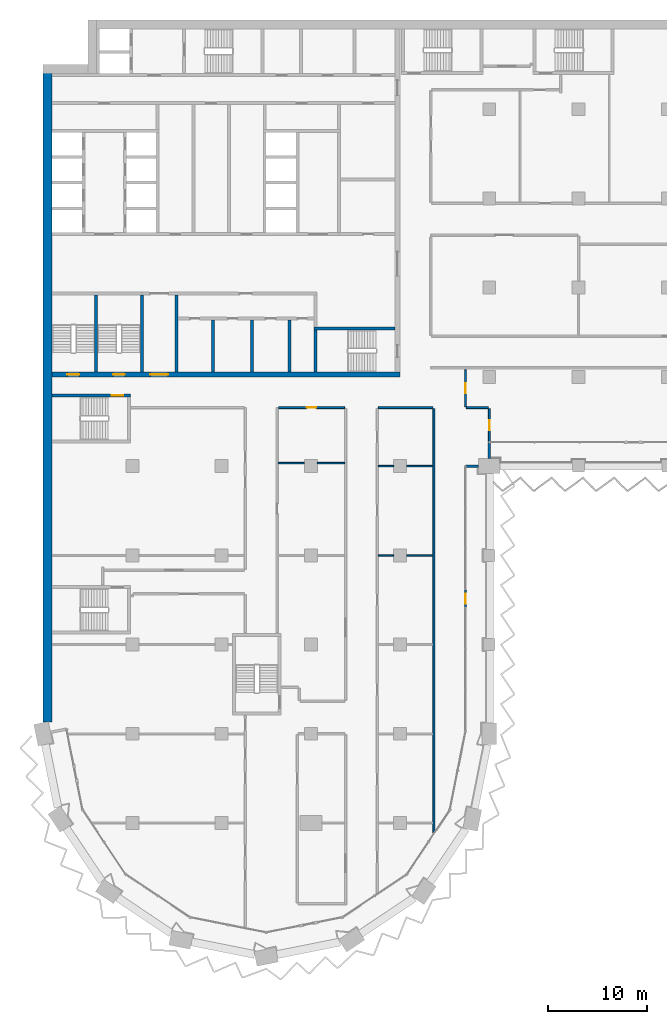
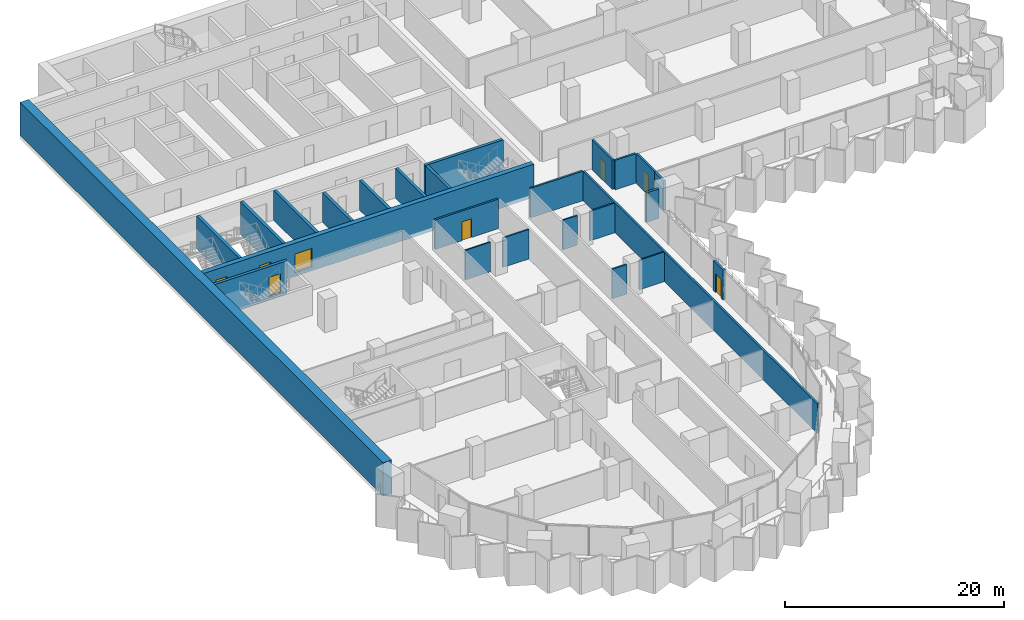
# One storey, part 11 of 23: 26 walls, 8 doors, 8 openings.
"""IFC4 building model written with IfcOpenShell, lengths in metres."""

import ifcopenshell
import ifcopenshell.guid

model = None  # the IFC model being written
_history = None  # IfcOwnerHistory: only IFC2X3 demands one
_inside = {}  # id of a spatial element -> (the spatial element, [elements in it])
_under = {}  # id of a project, library or spatial element -> (it, [spatial elements below it])
_declared = {}  # id of a project -> (the project, [libraries it declares])
_typed = {}  # id of a type object -> (the type object, [elements of that type])
_made_of = {}  # id of a material, layer set ... -> (it, [elements and type objects made of it])


def new_model(schema):
    """Start an empty IFC model of exactly this schema.

    Asked for "IFC4X3", IfcOpenShell would pick the latest addendum, in which some entities
    have other attributes; the version numbers below select the first issue.
    IFC2X3 requires an IfcOwnerHistory on every rooted entity: one is made here for all.
    """
    global model, _history
    if schema == "IFC4X3":
        model = ifcopenshell.file(schema_version=(4, 3, 0, 0))
    else:
        model = ifcopenshell.file(schema=schema)
    _inside.clear()
    _under.clear()
    _declared.clear()
    _typed.clear()
    _made_of.clear()
    _history = None
    if model.schema == "IFC2X3":
        org = make("IfcOrganization", Name="unknown")
        user = make(
            "IfcPersonAndOrganization",
            ThePerson=make("IfcPerson", FamilyName="unknown"),
            TheOrganization=org,
        )
        app = make(
            "IfcApplication",
            ApplicationDeveloper=org,
            Version="unknown",
            ApplicationFullName="unknown",
            ApplicationIdentifier="unknown",
        )
        _history = make(
            "IfcOwnerHistory",
            OwningUser=user,
            OwningApplication=app,
            ChangeAction="ADDED",
            CreationDate=0,
        )
    return model


def make(cls, **values):
    """One entity of the class cls with the attributes given. An attribute that is None is left unset."""
    return model.create_entity(
        cls, **{name: value for name, value in values.items() if value is not None}
    )


def rooted(cls, **values):
    """An entity with a GlobalId (a new one), such as an element, a storey or a relation."""
    return make(cls, GlobalId=ifcopenshell.guid.new(), OwnerHistory=_history, **values)


def si_unit(unit_type, name, prefix=None):
    """IfcSIUnit, for example si_unit("LENGTHUNIT", "METRE", prefix="MILLI")."""
    return make("IfcSIUnit", UnitType=unit_type, Prefix=prefix, Name=name)


def assignment(units):
    """IfcUnitAssignment: the units of a project."""
    return None if units is None else make("IfcUnitAssignment", Units=units)


def point(xyz):
    """IfcCartesianPoint."""
    return None if xyz is None else make("IfcCartesianPoint", Coordinates=xyz)


def direction(xyz):
    """IfcDirection."""
    return None if xyz is None else make("IfcDirection", DirectionRatios=xyz)


def frame(location, z_axis=None, x_axis=None):
    """IfcAxis2Placement3D, a coordinate frame: its origin and axes. An axis left out is left unset."""
    return make(
        "IfcAxis2Placement3D",
        Location=point(location),
        Axis=direction(z_axis),
        RefDirection=direction(x_axis),
    )


def frame_2d(location, x_axis=None):
    """IfcAxis2Placement2D, a coordinate frame in the plane: its origin and x axis."""
    return make(
        "IfcAxis2Placement2D", Location=point(location), RefDirection=direction(x_axis)
    )


def origin():
    """The frame at (0, 0, 0) with its axes left unset."""
    return frame((0.0, 0.0, 0.0))


def place(relative_to, where):
    """IfcLocalPlacement: puts the frame where relative to a parent placement (None: the world)."""
    return make(
        "IfcLocalPlacement", PlacementRelTo=relative_to, RelativePlacement=where
    )


def context(
    kind, dimensions, precision=None, world=None, true_north=None, identifier=None
):
    """IfcGeometricRepresentationContext, for example the 3D "Model" context."""
    return make(
        "IfcGeometricRepresentationContext",
        ContextIdentifier=identifier,
        ContextType=kind,
        CoordinateSpaceDimension=dimensions,
        Precision=precision,
        WorldCoordinateSystem=world,
        TrueNorth=true_north,
    )


def subcontext(parent, identifier, kind, view, scale=None):
    """IfcGeometricRepresentationSubContext, for example "Body" below "Model"."""
    return make(
        "IfcGeometricRepresentationSubContext",
        ContextIdentifier=identifier,
        ContextType=kind,
        ParentContext=parent,
        TargetScale=scale,
        TargetView=view,
    )


def project(units=None, contexts=None):
    """IfcProject with its units and contexts."""
    return rooted(
        "IfcProject",
        Name="project",
        RepresentationContexts=contexts,
        UnitsInContext=assignment(units),
    )


def spatial(cls, under=None, at=None, **own):
    """A site, building, storey or space (cls), placed at a placement, below another one or the project."""
    s = rooted(cls, ObjectPlacement=at, **own)
    if under is not None:
        _under.setdefault(under.id(), (under, []))[1].append(s)
    return s


def profile(cls, at=None, kind="AREA", **sizes):
    """A parametric profile (cls). Its sizes go by their IFC names, for example OverallWidth=200.0."""
    return make(cls, ProfileType=kind, Position=at, **sizes)


def rectangle(**sizes):
    """IfcRectangleProfileDef."""
    return profile("IfcRectangleProfileDef", **sizes)


def extrude(swept, where, along, depth):
    """IfcExtrudedAreaSolid: the profile swept, set in the frame where, extruded along a direction by depth."""
    return make(
        "IfcExtrudedAreaSolid",
        SweptArea=swept,
        Position=where,
        ExtrudedDirection=direction(along),
        Depth=depth,
    )


def shape(context_of_items, identifier, shape_type, items):
    """IfcShapeRepresentation: the items that make up one representation, for example the "Body"."""
    return make(
        "IfcShapeRepresentation",
        ContextOfItems=context_of_items,
        RepresentationIdentifier=identifier,
        RepresentationType=shape_type,
        Items=items,
    )


def material(Name=None, Category=None):
    """IfcMaterial."""
    return make("IfcMaterial", Name=Name, Category=Category)


def layer(
    of_material, thickness, ventilated=None, Name=None, Category=None, Priority=None
):
    """IfcMaterialLayer: one layer of a wall or slab, of a material (None: an air gap)."""
    return make(
        "IfcMaterialLayer",
        Material=of_material,
        LayerThickness=thickness,
        IsVentilated=ventilated,
        Name=Name,
        Category=Category,
        Priority=Priority,
    )


def layer_set(layers, Name=None):
    """IfcMaterialLayerSet."""
    return make("IfcMaterialLayerSet", MaterialLayers=layers, LayerSetName=Name)


def made_of(thing, what):
    """Note that an element or type object is made of a material, layer set ...; save() writes the relation."""
    if what is not None:
        _made_of.setdefault(what.id(), (what, []))[1].append(thing)
    return thing


def type_object(cls, material=None, **own):
    """A type object (cls), such as IfcWallType, which elements share."""
    return made_of(rooted(cls, **own), material)


def element(
    cls,
    number,
    at=None,
    inside=None,
    cuts=None,
    type_object=None,
    material=None,
    context=None,
    identifier="Body",
    shape_type=None,
    held_by="IfcProductDefinitionShape",
    body=None,
    shapes=None,
    **own,
):
    """One element of the class cls, such as IfcWall. Its Tag is "e" and its number.

    at: its placement. inside: the storey or other place that contains it. cuts: it is an
    opening in that element (IfcRelVoidsElement). A single representation is given by context,
    identifier, shape_type and body (its items); several are given by shapes. held_by: the class
    of the entity that holds the representations. save() writes the other relations.
    """
    e = rooted(cls, Tag="e%d" % number, ObjectPlacement=at, **own)
    if body is not None:
        shapes = [shape(context, identifier, shape_type, body)]
    if shapes is not None:
        e.Representation = make(held_by, Representations=shapes)
    if inside is not None:
        _inside.setdefault(inside.id(), (inside, []))[1].append(e)
    if cuts is not None:
        rooted(
            "IfcRelVoidsElement", RelatingBuildingElement=cuts, RelatedOpeningElement=e
        )
    if type_object is not None:
        _typed.setdefault(type_object.id(), (type_object, []))[1].append(e)
    return made_of(e, material)


def fill(opening, filler):
    """IfcRelFillsElement: the door or window that sits in an opening."""
    return rooted(
        "IfcRelFillsElement",
        RelatingOpeningElement=opening,
        RelatedBuildingElement=filler,
    )


def aggregate(whole, parts):
    """IfcRelAggregates: a whole, such as a stair, and the parts it consists of."""
    return rooted("IfcRelAggregates", RelatingObject=whole, RelatedObjects=parts)


def save(model, path):
    """Write the relations noted so far, then the file.

    IfcRelAggregates (storeys below a building ...), IfcRelContainedInSpatialStructure (elements
    in a storey), IfcRelDefinesByType, IfcRelAssociatesMaterial and IfcRelDeclares: one each for
    every whole, place, type object, material and project.
    """
    for whole, parts in _under.values():
        aggregate(whole, parts)
    for where, things in _inside.values():
        rooted(
            "IfcRelContainedInSpatialStructure",
            RelatedElements=things,
            RelatingStructure=where,
        )
    for kind, things in _typed.values():
        rooted("IfcRelDefinesByType", RelatedObjects=things, RelatingType=kind)
    for what, things in _made_of.values():
        rooted("IfcRelAssociatesMaterial", RelatedObjects=things, RelatingMaterial=what)
    for by, libraries in _declared.values():
        rooted("IfcRelDeclares", RelatingContext=by, RelatedDefinitions=libraries)
    model.write(path)


model = new_model("IFC4")

# Units and contexts
model_context = context("Model", 3, precision=1e-05, world=origin(), true_north=direction((0.0, 1.0)))
body_context = subcontext(model_context, "Body", "Model", "MODEL_VIEW")
ifc_project = project(units=[si_unit("LENGTHUNIT", "METRE"), si_unit("AREAUNIT", "SQUARE_METRE"), si_unit("VOLUMEUNIT", "CUBIC_METRE"), si_unit("PLANEANGLEUNIT", "RADIAN"), si_unit("MASSUNIT", "GRAM", prefix="KILO")], contexts=[model_context])

# Site, building, storey
site_placement = place(None, origin())
site = spatial("IfcSite", under=ifc_project, at=site_placement, CompositionType="ELEMENT")
building_placement = place(site_placement, origin())
building = spatial("IfcBuilding", under=site, at=building_placement, Name="Hunhe Ridgeline Campus", CompositionType="ELEMENT")
storey_placement = place(building_placement, frame((0.0, 0.0, 121.800048828125)))
storey = spatial("IfcBuildingStorey", under=building, at=storey_placement, Name="L30", CompositionType="ELEMENT", Elevation=121.800048828125)

# Walls
ifc_material_1 = material(Name="Masonry concrete blockwork", Category="masonry")
ifc_layer_1 = layer(ifc_material_1, 0.300048828125)
ifc_layer_set_1 = layer_set([ifc_layer_1], Name="Core room partition 300 concrete block")
wall_type_1 = type_object("IfcWallType", Name="Core room partition 300 concrete block", PredefinedType="PARTITIONING", material=ifc_layer_set_1)
wall_1_placement = place(storey_placement, frame((13.449951171875, 63.5, 0.0), z_axis=(0.0, 0.0, 1.0), x_axis=(0.0, 1.0, 0.0)))
element("IfcWall", 1, at=wall_1_placement, inside=storey, type_object=wall_type_1, Name="L30 core partition 42", PredefinedType="PARTITIONING", context=body_context, shape_type="SweptSolid", body=[
    extrude(rectangle(XDim=7.75, YDim=0.300048828125, at=frame_2d((3.875, 0.0))), origin(), (0.0, 0.0, 1.0), 3.300048828125),
])
for number, where, z_axis, x_axis, name in (
    (2, (17.14990234375, 63.5, 0.0), (0.0, 0.0, 1.0), (0.0, 1.0, 0.0), "L30 core partition 45"),
    (3, (21.050048828125, 63.5, 0.0), (0.0, 0.0, 1.0), (0.0, 1.0, 0.0), "L30 core partition 48"),
    (4, (24.85009765625, 63.5, 0.0), (0.0, 0.0, 1.0), (0.0, 1.0, 0.0), "L30 core partition 53"),
):
    element("IfcWall", number, at=place(storey_placement, frame(where, z_axis=z_axis, x_axis=x_axis)), inside=storey, type_object=wall_type_1, Name=name, PredefinedType="PARTITIONING", context=body_context, shape_type="SweptSolid", body=[
        extrude(rectangle(XDim=5.25, YDim=0.300048828125, at=frame_2d((2.625, 0.0))), origin(), (0.0, 0.0, 1.0), 3.300048828125),
    ])

# Wall, openings, doors
ifc_material_2 = material(Name="Concrete C80", Category="concrete")
ifc_layer_2 = layer(ifc_material_2, 0.5)
ifc_layer_set_2 = layer_set([ifc_layer_2], Name="Core wall 500 reinforced concrete C80")
wall_type_2 = type_object("IfcWallType", Name="Core wall 500 reinforced concrete C80", PredefinedType="SOLIDWALL", material=ifc_layer_set_2)
wall_2_placement = place(storey_placement, frame((0.89990234375, 63.25, -0.400146484375), z_axis=(0.0, 0.0, 1.0), x_axis=(1.0, 0.0, 0.0)))
wall_2 = element("IfcWall", 5, at=wall_2_placement, inside=storey, type_object=wall_type_2, Name="L30 core wall 7", PredefinedType="SOLIDWALL", context=body_context, shape_type="SweptSolid", body=[
    extrude(rectangle(XDim=35.10009765625, YDim=0.5, at=frame_2d((17.550048828125, 0.0))), origin(), (0.0, 0.0, 1.0), 3.7001953125),
])
opening_1_placement = place(wall_2_placement, frame((9.89990234375, 0.0, 0.39990234375)))
opening_1 = element("IfcOpeningElement", 6, at=opening_1_placement, cuts=wall_2, Name="Opening CD6", PredefinedType="OPENING", context=body_context, shape_type="SweptSolid", body=[
    extrude(rectangle(XDim=1.800048828125, YDim=2.10009765625, at=frame_2d((0.89990234375, 1.050048828125))), frame((0.0, 0.25, 0.0), z_axis=(0.0, -1.0, 0.0), x_axis=(1.0, 0.0, 0.0)), (0.0, 0.0, 1.0), 0.5),
])
opening_2_placement = place(wall_2_placement, frame((1.550048828125, 0.0, 0.39990234375)))
opening_2 = element("IfcOpeningElement", 7, at=opening_2_placement, cuts=wall_2, Name="Opening CD13", PredefinedType="OPENING", context=body_context, shape_type="SweptSolid", body=[
    extrude(rectangle(XDim=1.199951171875, YDim=2.10009765625, at=frame_2d((0.60009765625, 1.050048828125))), frame((0.0, 0.25, 0.0), z_axis=(0.0, -1.0, 0.0), x_axis=(1.0, 0.0, 0.0)), (0.0, 0.0, 1.0), 0.5),
])
opening_3_placement = place(wall_2_placement, frame((6.14990234375, 0.0, 0.39990234375)))
opening_3 = element("IfcOpeningElement", 8, at=opening_3_placement, cuts=wall_2, Name="Opening CD14", PredefinedType="OPENING", context=body_context, shape_type="SweptSolid", body=[
    extrude(rectangle(XDim=1.199951171875, YDim=2.10009765625, at=frame_2d((0.60009765625, 1.050048828125))), frame((0.0, 0.25, 0.0), z_axis=(0.0, -1.0, 0.0), x_axis=(1.0, 0.0, 0.0)), (0.0, 0.0, 1.0), 0.5),
])
ifc_material_3 = material(Name="Anodised aluminium and glass", Category="aluminium")
door_type_1 = type_object("IfcDoorType", Name="Glazed double door 1800x2100", OperationType="DOUBLE_DOOR_SINGLE_SWING", PredefinedType="DOOR", material=ifc_material_3)
door_1_placement = place(opening_1_placement, frame((1.800048828125, 0.0, 0.0), z_axis=(0.0, 0.0, 1.0), x_axis=(-1.0, 0.0, 0.0)))
door_1 = element("IfcDoor", 9, at=door_1_placement, inside=storey, type_object=door_type_1, Name="L30 door VEST-FLOOR", OperationType="DOUBLE_DOOR_SINGLE_SWING", OverallHeight=2.10009765625, OverallWidth=1.800048828125, PredefinedType="DOOR", context=body_context, shape_type="SweptSolid", body=[
    extrude(rectangle(XDim=1.800048828125, YDim=2.10009765625, at=frame_2d((0.89990234375, 1.050048828125))), frame((0.0, 0.02490234375, 0.0), z_axis=(0.0, -1.0, 0.0), x_axis=(1.0, 0.0, 0.0)), (0.0, 0.0, 1.0), 0.050048828125),
])
fill(opening_1, door_1)
ifc_material_4 = material(Name="Hollow metal fire door leaf")
door_type_2 = type_object("IfcDoorType", Name="Stair door 1200x2100 FD60", OperationType="SINGLE_SWING_LEFT", PredefinedType="DOOR", material=ifc_material_4)
door_2_placement = place(opening_2_placement, frame((1.199951171875, 0.0, 0.0), z_axis=(0.0, 0.0, 1.0), x_axis=(-1.0, 0.0, 0.0)))
door_2 = element("IfcDoor", 10, at=door_2_placement, inside=storey, type_object=door_type_2, Name="L30 door S3", OperationType="SINGLE_SWING_RIGHT", OverallHeight=2.10009765625, OverallWidth=1.199951171875, PredefinedType="DOOR", context=body_context, shape_type="SweptSolid", body=[
    extrude(rectangle(XDim=1.199951171875, YDim=2.10009765625, at=frame_2d((0.60009765625, 1.050048828125))), frame((0.0, 0.02490234375, 0.0), z_axis=(0.0, -1.0, 0.0), x_axis=(1.0, 0.0, 0.0)), (0.0, 0.0, 1.0), 0.050048828125),
])
fill(opening_2, door_2)
door_3_placement = place(opening_3_placement, frame((1.199951171875, 0.0, 0.0), z_axis=(0.0, 0.0, 1.0), x_axis=(-1.0, 0.0, 0.0)))
door_3 = element("IfcDoor", 11, at=door_3_placement, inside=storey, type_object=door_type_2, Name="L30 door S4", OperationType="SINGLE_SWING_LEFT", OverallHeight=2.10009765625, OverallWidth=1.199951171875, PredefinedType="DOOR", context=body_context, shape_type="SweptSolid", body=[
    extrude(rectangle(XDim=1.199951171875, YDim=2.10009765625, at=frame_2d((0.60009765625, 1.050048828125))), frame((0.0, 0.02490234375, 0.0), z_axis=(0.0, -1.0, 0.0), x_axis=(1.0, 0.0, 0.0)), (0.0, 0.0, 1.0), 0.050048828125),
])
fill(opening_3, door_3)

# Walls
ifc_material_5 = material(Name="Concrete C30", Category="concrete")
ifc_layer_3 = layer(ifc_material_5, 0.25)
ifc_layer_set_3 = layer_set([ifc_layer_3], Name="Corner return wall 250 Concrete C30")
wall_type_3 = type_object("IfcWallType", Name="Corner return wall 250 Concrete C30", PredefinedType="SOLIDWALL", material=ifc_layer_set_3)
wall_3_placement = place(storey_placement, frame((42.599365234375, 54.000732421875, 0.0), z_axis=(0.0, 0.0, 1.0), x_axis=(0.99999998238, 0.000187722918, 0.0)))
element("IfcWall", 12, at=wall_3_placement, inside=storey, type_object=wall_type_3, Name="Corner return wall 2", PredefinedType="SOLIDWALL", context=body_context, shape_type="SweptSolid", body=[
    extrude(rectangle(XDim=1.300537109375, YDim=0.25, at=frame_2d((0.650390625, 0.0))), origin(), (0.0, 0.0, 1.0), 3.300048828125),
])
wall_4_placement = place(storey_placement, frame((44.999267578125, 54.75, 0.0), z_axis=(0.0, 0.0, 1.0), x_axis=(0.000443655679, 0.999999901585, 0.0)))
element("IfcWall", 13, at=wall_4_placement, inside=storey, type_object=wall_type_3, Name="Corner return wall 3", PredefinedType="SOLIDWALL", context=body_context, shape_type="SweptSolid", body=[
    extrude(rectangle(XDim=1.65087890625, YDim=0.25, at=frame_2d((0.825439453125, 0.0))), origin(), (0.0, 0.0, 1.0), 3.300048828125),
])

# Wall, opening, door
ifc_material_6 = material(Name="Gypsum board partition")
ifc_layer_4 = layer(ifc_material_6, 0.199951171875)
ifc_layer_set_4 = layer_set([ifc_layer_4], Name="Corridor partition 200 gypsum board on steel studs")
wall_type_4 = type_object("IfcWallType", Name="Corridor partition 200 gypsum board on steel studs", PredefinedType="PARTITIONING", material=ifc_layer_set_4)
wall_5_placement = place(storey_placement, frame((30.39990234375, 59.89990234375, 0.0), z_axis=(0.0, 0.0, 1.0), x_axis=(-1.0, 0.0, 0.0)))
wall_5 = element("IfcWall", 14, at=wall_5_placement, inside=storey, type_object=wall_type_4, Name="F-L30-wall-036", PredefinedType="PARTITIONING", context=body_context, shape_type="SweptSolid", body=[
    extrude(rectangle(XDim=6.661865234375, YDim=0.199951171875, at=frame_2d((3.3310546875, 0.0))), origin(), (0.0, 0.0, 1.0), 3.300048828125),
])
opening_4_placement = place(wall_5_placement, frame((2.8310546875, 0.0, 0.0)))
opening_4 = element("IfcOpeningElement", 15, at=opening_4_placement, cuts=wall_5, Name="Opening RD1-021", PredefinedType="OPENING", context=body_context, shape_type="SweptSolid", body=[
    extrude(rectangle(XDim=1.0, YDim=2.10009765625, at=frame_2d((0.5, 1.050048828125))), frame((0.0, 0.10009765625, 0.0), z_axis=(0.0, -1.0, 0.0), x_axis=(1.0, 0.0, 0.0)), (0.0, 0.0, 1.0), 0.199951171875),
])
ifc_material_7 = material(Name="Timber door leaf", Category="wood")
door_type_3 = type_object("IfcDoorType", Name="Single fire door 1000x2100 timber FD60", OperationType="NOTDEFINED", PredefinedType="DOOR", material=ifc_material_7)
door_4_placement = place(opening_4_placement, origin())
door_4 = element("IfcDoor", 16, at=door_4_placement, inside=storey, type_object=door_type_3, Name="F-L30-door-021", OperationType="SINGLE_SWING_RIGHT", OverallHeight=2.10009765625, OverallWidth=1.0, PredefinedType="DOOR", context=body_context, shape_type="SweptSolid", body=[
    extrude(rectangle(XDim=1.0, YDim=2.10009765625, at=frame_2d((0.5, 1.050048828125))), frame((0.0, 0.02490234375, 0.0), z_axis=(0.0, -1.0, 0.0), x_axis=(1.0, 0.0, 0.0)), (0.0, 0.0, 1.0), 0.050048828125),
])
fill(opening_4, door_4)

# Walls
wall_6_placement = place(storey_placement, frame((39.300048828125, 59.89990234375, 0.0), z_axis=(0.0, 0.0, 1.0), x_axis=(-1.0, 0.0, 0.0)))
element("IfcWall", 17, at=wall_6_placement, inside=storey, type_object=wall_type_4, Name="F-L30-wall-037", PredefinedType="PARTITIONING", context=body_context, shape_type="SweptSolid", body=[
    extrude(rectangle(XDim=5.5, YDim=0.199951171875, at=frame_2d((2.75, 0.0))), origin(), (0.0, 0.0, 1.0), 3.300048828125),
])
wall_7_placement = place(storey_placement, frame((42.699951171875, 59.89990234375, 0.0), z_axis=(0.0, 0.0, 1.0), x_axis=(1.0, 0.0, 0.0)))
element("IfcWall", 18, at=wall_7_placement, inside=storey, type_object=wall_type_4, Name="F-L30-wall-038", PredefinedType="PARTITIONING", context=body_context, shape_type="SweptSolid", body=[
    extrude(rectangle(XDim=2.199951171875, YDim=0.199951171875, at=frame_2d((1.10009765625, 0.0))), origin(), (0.0, 0.0, 1.0), 3.300048828125),
])
wall_8_placement = place(storey_placement, frame((39.39990234375, 16.99072265625, 0.0), z_axis=(0.0, 0.0, 1.0), x_axis=(0.0, 1.0, 0.0)))
element("IfcWall", 19, at=wall_8_placement, inside=storey, type_object=wall_type_4, Name="F-L30-wall-066", PredefinedType="PARTITIONING", context=body_context, shape_type="SweptSolid", body=[
    extrude(rectangle(XDim=42.809326171875, YDim=0.199951171875, at=frame_2d((21.40478515625, 0.0))), origin(), (0.0, 0.0, 1.0), 3.300048828125),
])

# Wall, opening, door
wall_9_placement = place(storey_placement, frame((42.60009765625, 63.699951171875, 0.0), z_axis=(0.0, 0.0, 1.0), x_axis=(0.0, -1.0, 0.0)))
wall_9 = element("IfcWall", 20, at=wall_9_placement, inside=storey, type_object=wall_type_4, Name="F-L30-wall-067", PredefinedType="PARTITIONING", context=body_context, shape_type="SweptSolid", body=[
    extrude(rectangle(XDim=3.699951171875, YDim=0.199951171875, at=frame_2d((1.85009765625, 0.0))), origin(), (0.0, 0.0, 1.0), 3.300048828125),
])
opening_5_placement = place(wall_9_placement, frame((1.35009765625, 0.0, 0.0)))
opening_5 = element("IfcOpeningElement", 21, at=opening_5_placement, cuts=wall_9, Name="Opening RD1-022", PredefinedType="OPENING", context=body_context, shape_type="SweptSolid", body=[
    extrude(rectangle(XDim=1.0, YDim=2.10009765625, at=frame_2d((0.5, 1.050048828125))), frame((0.0, 0.10009765625, 0.0), z_axis=(0.0, -1.0, 0.0), x_axis=(1.0, 0.0, 0.0)), (0.0, 0.0, 1.0), 0.199951171875),
])
door_5_placement = place(opening_5_placement, frame((1.0, 0.0, 0.0), z_axis=(0.0, 0.0, 1.0), x_axis=(-1.0, 0.0, 0.0)))
door_5 = element("IfcDoor", 22, at=door_5_placement, inside=storey, type_object=door_type_3, Name="F-L30-door-022", OperationType="SINGLE_SWING_RIGHT", OverallHeight=2.10009765625, OverallWidth=1.0, PredefinedType="DOOR", context=body_context, shape_type="SweptSolid", body=[
    extrude(rectangle(XDim=1.0, YDim=2.10009765625, at=frame_2d((0.5, 1.050048828125))), frame((0.0, 0.02490234375, 0.0), z_axis=(0.0, -1.0, 0.0), x_axis=(1.0, 0.0, 0.0)), (0.0, 0.0, 1.0), 0.050048828125),
])
fill(opening_5, door_5)

wall_10_placement = place(storey_placement, frame((45.0, 59.800048828125, 0.0), z_axis=(0.0, 0.0, 1.0), x_axis=(0.0, -1.0, 0.0)))
wall_10 = element("IfcWall", 23, at=wall_10_placement, inside=storey, type_object=wall_type_4, Name="F-L30-wall-068", PredefinedType="PARTITIONING", context=body_context, shape_type="SweptSolid", body=[
    extrude(rectangle(XDim=3.344970703125, YDim=0.199951171875, at=frame_2d((1.67236328125, 0.0))), origin(), (0.0, 0.0, 1.0), 3.300048828125),
])
opening_6_placement = place(wall_10_placement, frame((1.172607421875, 0.0, 0.0)))
opening_6 = element("IfcOpeningElement", 24, at=opening_6_placement, cuts=wall_10, Name="Opening RD1-020", PredefinedType="OPENING", context=body_context, shape_type="SweptSolid", body=[
    extrude(rectangle(XDim=1.0, YDim=2.10009765625, at=frame_2d((0.5, 1.050048828125))), frame((0.0, 0.10009765625, 0.0), z_axis=(0.0, -1.0, 0.0), x_axis=(1.0, 0.0, 0.0)), (0.0, 0.0, 1.0), 0.199951171875),
])
door_6_placement = place(opening_6_placement, frame((1.0, 0.0, 0.0), z_axis=(0.0, 0.0, 1.0), x_axis=(-1.0, 0.0, 0.0)))
door_6 = element("IfcDoor", 25, at=door_6_placement, inside=storey, type_object=door_type_3, Name="F-L30-door-020", OperationType="SINGLE_SWING_RIGHT", OverallHeight=2.10009765625, OverallWidth=1.0, PredefinedType="DOOR", context=body_context, shape_type="SweptSolid", body=[
    extrude(rectangle(XDim=1.0, YDim=2.10009765625, at=frame_2d((0.5, 1.050048828125))), frame((0.0, 0.02490234375, 0.0), z_axis=(0.0, -1.0, 0.0), x_axis=(1.0, 0.0, 0.0)), (0.0, 0.0, 1.0), 0.050048828125),
])
fill(opening_6, door_6)

ifc_layer_5 = layer(ifc_material_5, 0.25)
ifc_layer_set_5 = layer_set([ifc_layer_5], Name="Loggia door pier wall 250 Concrete C30")
wall_type_5 = type_object("IfcWallType", Name="Loggia door pier wall 250 Concrete C30", PredefinedType="SOLIDWALL", material=ifc_layer_set_5)
wall_11_placement = place(storey_placement, frame((42.59912109375, 39.718505859375, 0.0), z_axis=(0.0, 0.0, 1.0), x_axis=(0.0, 1.0, 0.0)))
wall_11 = element("IfcWall", 26, at=wall_11_placement, inside=storey, type_object=wall_type_5, Name="Loggia door pier 3", PredefinedType="SOLIDWALL", context=body_context, shape_type="SweptSolid", body=[
    extrude(rectangle(XDim=1.800048828125, YDim=0.25, at=frame_2d((0.89990234375, 0.0))), origin(), (0.0, 0.0, 1.0), 3.300048828125),
])
opening_7_placement = place(wall_11_placement, frame((0.39990234375, 0.0, 0.0)))
opening_7 = element("IfcOpeningElement", 27, at=opening_7_placement, cuts=wall_11, Name="Opening BD205", PredefinedType="OPENING", context=body_context, shape_type="SweptSolid", body=[
    extrude(rectangle(XDim=1.0, YDim=2.10009765625, at=frame_2d((0.5, 1.050048828125))), frame((0.0, 0.125, 0.0), z_axis=(0.0, -1.0, 0.0), x_axis=(1.0, 0.0, 0.0)), (0.0, 0.0, 1.0), 0.25),
])
ifc_material_8 = material(Name="Aluminium 6063", Category="aluminium")
door_type_4 = type_object("IfcDoorType", Name="Loggia glazed door 1000x2100", OperationType="NOTDEFINED", PredefinedType="DOOR", material=ifc_material_8)
door_7_placement = place(opening_7_placement, frame((1.0, 0.0, 0.0), z_axis=(0.0, 0.0, 1.0), x_axis=(-1.0, 0.0, 0.0)))
door_7 = element("IfcDoor", 28, at=door_7_placement, inside=storey, type_object=door_type_4, Name="Loggia door BD205", OperationType="SINGLE_SWING_RIGHT", OverallHeight=2.10009765625, OverallWidth=1.0, PredefinedType="DOOR", context=body_context, shape_type="SweptSolid", body=[
    extrude(rectangle(XDim=1.0, YDim=2.10009765625, at=frame_2d((0.5, 1.050048828125))), frame((0.0, 0.02490234375, 0.0), z_axis=(0.0, -1.0, 0.0), x_axis=(1.0, 0.0, 0.0)), (0.0, 0.0, 1.0), 0.050048828125),
])
fill(opening_7, door_7)

# Walls
ifc_layer_6 = layer(ifc_material_6, 0.14990234375)
ifc_layer_set_6 = layer_set([ifc_layer_6], Name="Room partition 150 gypsum board on steel studs")
wall_type_6 = type_object("IfcWallType", Name="Room partition 150 gypsum board on steel studs", PredefinedType="PARTITIONING", material=ifc_layer_set_6)
wall_12_placement = place(storey_placement, frame((33.800048828125, 45.0, 0.0), z_axis=(0.0, 0.0, 1.0), x_axis=(1.0, 0.0, 0.0)))
element("IfcWall", 29, at=wall_12_placement, inside=storey, type_object=wall_type_6, Name="F-L30-wall-029", PredefinedType="PARTITIONING", context=body_context, shape_type="SweptSolid", body=[
    extrude(rectangle(XDim=1.550048828125, YDim=0.14990234375, at=frame_2d((0.77490234375, 0.0))), origin(), (0.0, 0.0, 1.0), 3.300048828125),
])
wall_13_placement = place(storey_placement, frame((36.64990234375, 45.0, 0.0), z_axis=(0.0, 0.0, 1.0), x_axis=(1.0, 0.0, 0.0)))
element("IfcWall", 30, at=wall_13_placement, inside=storey, type_object=wall_type_6, Name="F-L30-wall-030", PredefinedType="PARTITIONING", context=body_context, shape_type="SweptSolid", body=[
    extrude(rectangle(XDim=2.650146484375, YDim=0.14990234375, at=frame_2d((1.3251953125, 0.0))), origin(), (0.0, 0.0, 1.0), 3.300048828125),
])
wall_14_placement = place(storey_placement, frame((33.800048828125, 54.0, 0.0), z_axis=(0.0, 0.0, 1.0), x_axis=(1.0, 0.0, 0.0)))
element("IfcWall", 31, at=wall_14_placement, inside=storey, type_object=wall_type_6, Name="F-L30-wall-031", PredefinedType="PARTITIONING", context=body_context, shape_type="SweptSolid", body=[
    extrude(rectangle(XDim=1.550048828125, YDim=0.14990234375, at=frame_2d((0.77490234375, 0.0))), origin(), (0.0, 0.0, 1.0), 3.300048828125),
])
for number, where, z_axis, x_axis, name in (
    (32, (36.64990234375, 54.0, 0.0), (0.0, 0.0, 1.0), (1.0, 0.0, 0.0), "F-L30-wall-032"),
    (33, (23.699951171875, 54.300048828125, 0.0), (0.0, 0.0, 1.0), (1.0, 0.0, 0.0), "F-L30-wall-033"),
):
    element("IfcWall", number, at=place(storey_placement, frame(where, z_axis=z_axis, x_axis=x_axis)), inside=storey, type_object=wall_type_6, Name=name, PredefinedType="PARTITIONING", context=body_context, shape_type="SweptSolid", body=[
        extrude(rectangle(XDim=2.650146484375, YDim=0.14990234375, at=frame_2d((1.3251953125, 0.0))), origin(), (0.0, 0.0, 1.0), 3.300048828125),
    ])
wall_15_placement = place(storey_placement, frame((27.64990234375, 54.300048828125, 0.0), z_axis=(0.0, 0.0, 1.0), x_axis=(1.0, 0.0, 0.0)))
element("IfcWall", 34, at=wall_15_placement, inside=storey, type_object=wall_type_6, Name="F-L30-wall-034", PredefinedType="PARTITIONING", context=body_context, shape_type="SweptSolid", body=[
    extrude(rectangle(XDim=2.75, YDim=0.14990234375, at=frame_2d((1.375, 0.0))), origin(), (0.0, 0.0, 1.0), 3.300048828125),
])
ifc_material_9 = material(Name="Concrete C70", Category="concrete")
ifc_layer_7 = layer(ifc_material_9, 0.89990234375)
ifc_layer_set_7 = layer_set([ifc_layer_7], Name="Spine wall 900 Concrete C70")
wall_type_7 = type_object("IfcWallType", Name="Spine wall 900 Concrete C70", PredefinedType="SHEAR", material=ifc_layer_set_7)
wall_16_placement = place(storey_placement, frame((0.449951171875, 94.5, 0.0), z_axis=(0.0, 0.0, 1.0), x_axis=(0.0, -1.0, 0.0)))
element("IfcWall", 35, at=wall_16_placement, inside=storey, type_object=wall_type_7, Name="Spine wall SW2-1 L30", PredefinedType="SHEAR", context=body_context, shape_type="SweptSolid", body=[
    extrude(rectangle(XDim=66.288818359375, YDim=0.89990234375, at=frame_2d((33.14453125, 0.0))), origin(), (0.0, 0.0, 1.0), 3.699951171875),
])

# Wall, opening, door
ifc_layer_8 = layer(ifc_material_2, 0.300048828125)
ifc_layer_set_8 = layer_set([ifc_layer_8], Name="Stair wall 300 reinforced concrete C80")
wall_type_8 = type_object("IfcWallType", Name="Stair wall 300 reinforced concrete C80", PredefinedType="SOLIDWALL", material=ifc_layer_set_8)
wall_17_placement = place(storey_placement, frame((0.89990234375, 61.10009765625, -0.400146484375), z_axis=(0.0, 0.0, 1.0), x_axis=(1.0, 0.0, 0.0)))
wall_17 = element("IfcWall", 36, at=wall_17_placement, inside=storey, type_object=wall_type_8, Name="L30 core wall 6", PredefinedType="SOLIDWALL", context=body_context, shape_type="SweptSolid", body=[
    extrude(rectangle(XDim=7.900146484375, YDim=0.300048828125, at=frame_2d((3.9501953125, 0.0))), origin(), (0.0, 0.0, 1.0), 3.7001953125),
])
opening_8_placement = place(wall_17_placement, frame((6.0, 0.0, 0.39990234375)))
opening_8 = element("IfcOpeningElement", 37, at=opening_8_placement, cuts=wall_17, Name="Opening CD22", PredefinedType="OPENING", context=body_context, shape_type="SweptSolid", body=[
    extrude(rectangle(XDim=1.199951171875, YDim=2.10009765625, at=frame_2d((0.60009765625, 1.050048828125))), frame((0.0, 0.14990234375, 0.0), z_axis=(0.0, -1.0, 0.0), x_axis=(1.0, 0.0, 0.0)), (0.0, 0.0, 1.0), 0.300048828125),
])
door_8_placement = place(opening_8_placement, origin())
door_8 = element("IfcDoor", 38, at=door_8_placement, inside=storey, type_object=door_type_2, Name="L30 door W2", OperationType="SINGLE_SWING_LEFT", OverallHeight=2.10009765625, OverallWidth=1.199951171875, PredefinedType="DOOR", context=body_context, shape_type="SweptSolid", body=[
    extrude(rectangle(XDim=1.199951171875, YDim=2.10009765625, at=frame_2d((0.60009765625, 1.050048828125))), frame((0.0, 0.02490234375, 0.0), z_axis=(0.0, -1.0, 0.0), x_axis=(1.0, 0.0, 0.0)), (0.0, 0.0, 1.0), 0.050048828125),
])
fill(opening_8, door_8)

# Walls
wall_18_placement = place(storey_placement, frame((27.300048828125, 67.89990234375, -0.400146484375), z_axis=(0.0, 0.0, 1.0), x_axis=(1.0, 0.0, 0.0)))
element("IfcWall", 39, at=wall_18_placement, inside=storey, type_object=wall_type_8, Name="L30 core wall 8", PredefinedType="SOLIDWALL", context=body_context, shape_type="SweptSolid", body=[
    extrude(rectangle(XDim=8.199951171875, YDim=0.300048828125, at=frame_2d((4.10009765625, 0.0))), origin(), (0.0, 0.0, 1.0), 3.7001953125),
])
for number, where, z_axis, x_axis, name in (
    (40, (5.35009765625, 63.5, -0.400146484375), (0.0, 0.0, 1.0), (0.0, 1.0, 0.0), "L30 core wall 33"),
    (41, (9.949951171875, 63.5, -0.400146484375), (0.0, 0.0, 1.0), (0.0, 1.0, 0.0), "L30 core wall 39"),
):
    element("IfcWall", number, at=place(storey_placement, frame(where, z_axis=z_axis, x_axis=x_axis)), inside=storey, type_object=wall_type_8, Name=name, PredefinedType="SOLIDWALL", context=body_context, shape_type="SweptSolid", body=[
        extrude(rectangle(XDim=7.75, YDim=0.300048828125, at=frame_2d((3.875, 0.0))), origin(), (0.0, 0.0, 1.0), 3.7001953125),
    ])
wall_19_placement = place(storey_placement, frame((27.449951171875, 63.5, -0.400146484375), z_axis=(0.0, 0.0, 1.0), x_axis=(0.0, 1.0, 0.0)))
element("IfcWall", 42, at=wall_19_placement, inside=storey, type_object=wall_type_8, Name="L30 core wall 56", PredefinedType="SOLIDWALL", context=body_context, shape_type="SweptSolid", body=[
    extrude(rectangle(XDim=4.25, YDim=0.300048828125, at=frame_2d((2.125, 0.0))), origin(), (0.0, 0.0, 1.0), 3.7001953125),
])

save(model, "model.ifc")
